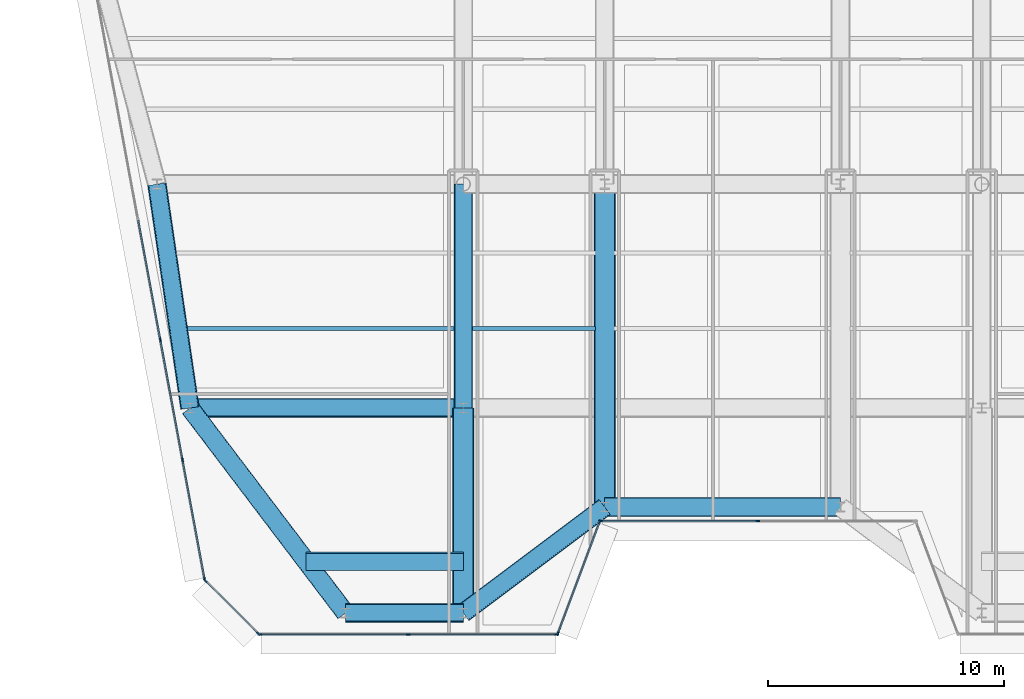
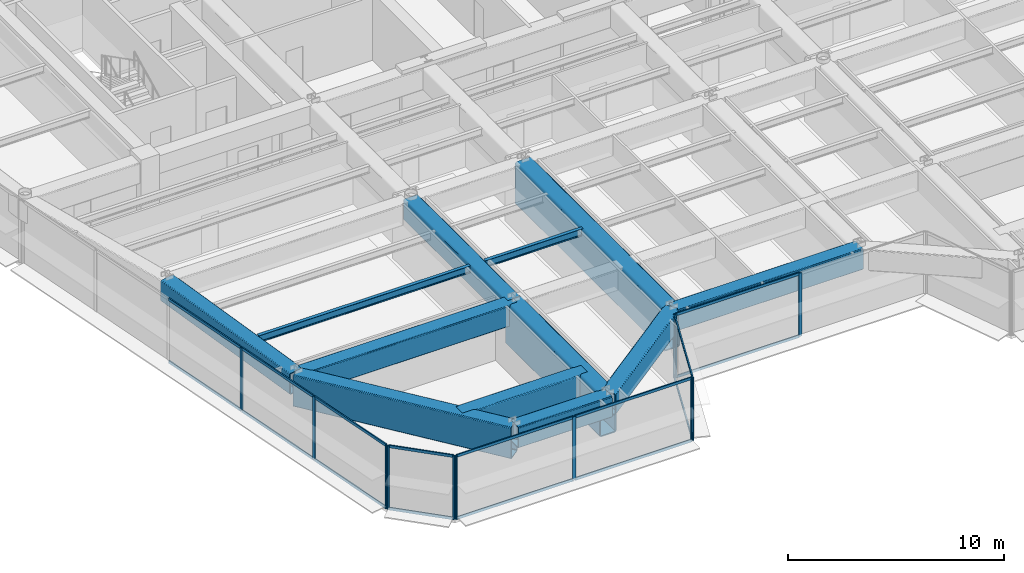
# One storey, part 2 of 17: 28 members, 12 beams, 5 elements without a shape of their own.
"""IFC4 building model written with IfcOpenShell, lengths in metres."""

from ifc_helpers import new_model, si_unit, direction, frame, origin, origin_2d, place, context, subcontext, project, spatial, rectangle, hollow_rectangle, i_section, extrude, source, transform, mapped, material, layer, layer_set, material_profile, profile_set, type_object, element, aggregate, save


model = new_model("IFC4")

# Units and contexts
model_context = context("Model", 3, precision=1e-05, world=origin(), true_north=direction((0.0, 1.0)))
body_context = subcontext(model_context, "Body", "Model", "MODEL_VIEW")
ifc_project = project(units=[si_unit("LENGTHUNIT", "METRE"), si_unit("AREAUNIT", "SQUARE_METRE"), si_unit("VOLUMEUNIT", "CUBIC_METRE"), si_unit("PLANEANGLEUNIT", "RADIAN"), si_unit("MASSUNIT", "GRAM", prefix="KILO")], contexts=[model_context])

# Site, building, storey
site_placement = place(None, origin())
site = spatial("IfcSite", under=ifc_project, at=site_placement, CompositionType="ELEMENT")
building_placement = place(site_placement, origin())
building = spatial("IfcBuilding", under=site, at=building_placement, Name="Vaeldorn Concourse Tower", CompositionType="ELEMENT")
storey_placement = place(building_placement, frame((0.0, 0.0, 234.60009765625)))
storey = spatial("IfcBuildingStorey", under=building, at=storey_placement, Name="L60", CompositionType="ELEMENT", Elevation=234.60009765625)

# Beams
ifc_material_1 = material(Name="Steel S460", Category="steel")
ifc_material_profile_1 = material_profile(ifc_material_1, hollow_rectangle(XDim=0.800048828125, YDim=1.199951171875, WallThickness=0.044921875, InnerFilletRadius=0.044921875, OuterFilletRadius=0.090087890625, at=origin_2d()), Name="RHS 1200x800x45")
ifc_profile_set_1 = profile_set([ifc_material_profile_1], Name="Steel S460")
beam_type_1 = type_object("IfcBeamType", Name="BM-TG-RHS1200", PredefinedType="BEAM", material=ifc_profile_set_1)
shared_shape_1 = source(origin(), body_context, "Body", "SweptSolid", [
    extrude(hollow_rectangle(XDim=0.800048828125, YDim=1.199951171875, WallThickness=0.044921875, InnerFilletRadius=0.044921875, OuterFilletRadius=0.090087890625, at=origin_2d()), origin(), (0.0, 0.0, 1.0), 10.0),
])
beam_1_placement = place(storey_placement, frame((29.0, 13.800048828125, 2.97998046875), z_axis=(1.0, 0.0, 0.0), x_axis=(0.0, 1.0, 0.0)))
element("IfcBeam", 1, at=beam_1_placement, inside=storey, type_object=beam_type_1, Name="Beam BM-L60-C-SF3-C-SF4", PredefinedType="BEAM", context=body_context, shape_type="MappedRepresentation", body=[
    mapped(shared_shape_1, transform((0.0, 0.0, 0.0), scale=1.0)),
])
shared_shape_2 = source(origin(), body_context, "Body", "SweptSolid", [
    extrude(hollow_rectangle(XDim=0.800048828125, YDim=1.199951171875, WallThickness=0.044921875, InnerFilletRadius=0.044921875, OuterFilletRadius=0.090087890625, at=origin_2d()), origin(), (0.0, 0.0, 1.0), 11.60009765625),
])
beam_2_placement = place(storey_placement, frame((11.39990234375, 18.0, 2.97998046875), z_axis=(1.0, 0.0, 0.0), x_axis=(0.0, 1.0, 0.0)))
element("IfcBeam", 2, at=beam_2_placement, inside=storey, type_object=beam_type_1, Name="Beam BM-L60-C-FLW2-C-TW5", PredefinedType="BEAM", context=body_context, shape_type="MappedRepresentation", body=[
    mapped(shared_shape_2, transform((0.0, 0.0, 0.0), scale=1.0)),
])
shared_shape_3 = source(origin(), body_context, "Body", "SweptSolid", [
    extrude(hollow_rectangle(XDim=0.800048828125, YDim=1.199951171875, WallThickness=0.044921875, InnerFilletRadius=0.044921875, OuterFilletRadius=0.090087890625, at=origin_2d()), origin(), (0.0, 0.0, 1.0), 5.0),
])
beam_3_placement = place(storey_placement, frame((18.0, 9.300048828125, 2.97998046875), z_axis=(1.0, 0.0, 0.0), x_axis=(0.0, 1.0, 0.0)))
element("IfcBeam", 3, at=beam_3_placement, inside=storey, type_object=beam_type_1, Name="Beam BM-L60-C-SF1-C-SF2", PredefinedType="BEAM", context=body_context, shape_type="MappedRepresentation", body=[
    mapped(shared_shape_3, transform((0.0, 0.0, 0.0), scale=1.0)),
])
shared_shape_4 = source(origin(), body_context, "Body", "SweptSolid", [
    extrude(hollow_rectangle(XDim=0.800048828125, YDim=1.199951171875, WallThickness=0.044921875, InnerFilletRadius=0.044921875, OuterFilletRadius=0.090087890625, at=origin_2d()), origin(), (0.0, 0.0, 1.0), 7.5),
])
beam_4_placement = place(storey_placement, frame((23.0, 9.300048828125, 2.97998046875), z_axis=(0.8, 0.6, 0.0), x_axis=(-0.6, 0.8, 0.0)))
element("IfcBeam", 4, at=beam_4_placement, inside=storey, type_object=beam_type_1, Name="Beam BM-L60-C-SF2-C-SF3", PredefinedType="BEAM", context=body_context, shape_type="MappedRepresentation", body=[
    mapped(shared_shape_4, transform((0.0, 0.0, 0.0), scale=1.0)),
])
shared_shape_5 = source(origin(), body_context, "Body", "SweptSolid", [
    extrude(hollow_rectangle(XDim=0.800048828125, YDim=1.199951171875, WallThickness=0.044921875, InnerFilletRadius=0.044921875, OuterFilletRadius=0.090087890625, at=origin_2d()), origin(), (0.0, 0.0, 1.0), 9.6025390625),
])
beam_5_placement = place(storey_placement, frame((10.0, 27.5, 2.97998046875), z_axis=(0.145783835977, -0.989316467652, 0.0), x_axis=(0.989316467652, 0.145783835977, 0.0)))
element("IfcBeam", 5, at=beam_5_placement, inside=storey, type_object=beam_type_1, Name="Beam BM-L60-C-FLW1-C-FLW2", PredefinedType="BEAM", context=body_context, shape_type="MappedRepresentation", body=[
    mapped(shared_shape_5, transform((0.0, 0.0, 0.0), scale=1.0)),
])
shared_shape_6 = source(origin(), body_context, "Body", "SweptSolid", [
    extrude(hollow_rectangle(XDim=0.800048828125, YDim=1.199951171875, WallThickness=0.044921875, InnerFilletRadius=0.044921875, OuterFilletRadius=0.090087890625, at=origin_2d()), origin(), (0.0, 0.0, 1.0), 9.5),
])
beam_6_placement = place(storey_placement, frame((23.0, 18.0, 2.97998046875), z_axis=(0.0, 1.0, 0.0), x_axis=(-1.0, 0.0, 0.0)))
element("IfcBeam", 6, at=beam_6_placement, inside=storey, type_object=beam_type_1, Name="Beam BM-L60-C-TW5-C-TW1", PredefinedType="BEAM", context=body_context, shape_type="MappedRepresentation", body=[
    mapped(shared_shape_6, transform((0.0, 0.0, 0.0), scale=1.0)),
])
ifc_material_2 = material(Name="Steel S355", Category="steel")
ifc_material_profile_2 = material_profile(ifc_material_2, i_section(OverallWidth=0.179931640625, OverallDepth=0.39990234375, WebThickness=0.008544921875, FlangeThickness=0.013427734375, FilletRadius=0.02099609375, at=origin_2d()), Name="IPE 400")
ifc_profile_set_2 = profile_set([ifc_material_profile_2], Name="Steel S355")
beam_type_2 = type_object("IfcBeamType", Name="BM-JS-IPE400", PredefinedType="JOIST", material=ifc_profile_set_2)
shared_shape_7 = source(origin(), body_context, "Body", "SweptSolid", [
    extrude(i_section(OverallWidth=0.179931640625, OverallDepth=0.39990234375, WebThickness=0.008544921875, FlangeThickness=0.013427734375, FilletRadius=0.02099609375, at=origin_2d()), origin(), (0.0, 0.0, 1.0), 5.2001953125),
])
beam_7_placement = place(storey_placement, frame((23.39990234375, 21.3798828125, 3.3798828125), z_axis=(1.0, 0.0, 0.0), x_axis=(0.0, 1.0, 0.0)))
element("IfcBeam", 7, at=beam_7_placement, inside=storey, type_object=beam_type_2, Name="Beam JS-L60-W2-213", PredefinedType="JOIST", context=body_context, shape_type="MappedRepresentation", body=[
    mapped(shared_shape_7, transform((0.0, 0.0, 0.0), scale=1.0)),
])
ifc_material_profile_3 = material_profile(ifc_material_1, hollow_rectangle(XDim=0.89990234375, YDim=2.39990234375, WallThickness=0.06005859375, InnerFilletRadius=0.06005859375, OuterFilletRadius=0.1201171875, at=origin_2d()), Name="RHS 2400x900x60")
ifc_profile_set_3 = profile_set([ifc_material_profile_3], Name="Steel S460")
beam_type_3 = type_object("IfcBeamType", Name="BM-TG-BOX2400", PredefinedType="BEAM", material=ifc_profile_set_3)
shared_shape_8 = source(origin(), body_context, "Body", "SweptSolid", [
    extrude(hollow_rectangle(XDim=0.89990234375, YDim=2.39990234375, WallThickness=0.06005859375, InnerFilletRadius=0.06005859375, OuterFilletRadius=0.1201171875, at=origin_2d()), origin(), (0.0, 0.0, 1.0), 8.699951171875),
])
beam_8_placement = place(storey_placement, frame((23.0, 9.300048828125, 2.3798828125), z_axis=(0.0, 1.0, 0.0), x_axis=(-1.0, 0.0, 0.0)))
element("IfcBeam", 8, at=beam_8_placement, inside=storey, type_object=beam_type_3, Name="Beam BM-SETBACK-L60-C-SF2", PredefinedType="BEAM", context=body_context, shape_type="MappedRepresentation", body=[
    mapped(shared_shape_8, transform((0.0, 0.0, 0.0), scale=1.0)),
])
shared_shape_9 = source(origin(), body_context, "Body", "SweptSolid", [
    extrude(hollow_rectangle(XDim=0.89990234375, YDim=2.39990234375, WallThickness=0.06005859375, InnerFilletRadius=0.06005859375, OuterFilletRadius=0.1201171875, at=origin_2d()), origin(), (0.0, 0.0, 1.0), 13.699951171875),
])
beam_9_placement = place(storey_placement, frame((29.0, 13.800048828125, 2.3798828125), z_axis=(0.0, 1.0, 0.0), x_axis=(-1.0, 0.0, 0.0)))
element("IfcBeam", 9, at=beam_9_placement, inside=storey, type_object=beam_type_3, Name="Beam BM-SETBACK-L60-C-SF3", PredefinedType="BEAM", context=body_context, shape_type="MappedRepresentation", body=[
    mapped(shared_shape_9, transform((0.0, 0.0, 0.0), scale=1.0)),
])
ifc_material_profile_4 = material_profile(ifc_material_1, hollow_rectangle(XDim=0.800048828125, YDim=1.800048828125, WallThickness=0.050048828125, InnerFilletRadius=0.050048828125, OuterFilletRadius=0.10009765625, at=origin_2d()), Name="RHS 1800x800x50")
ifc_profile_set_4 = profile_set([ifc_material_profile_4], Name="Steel S460")
beam_type_4 = type_object("IfcBeamType", Name="BM-TG-BOX1800", PredefinedType="BEAM", material=ifc_profile_set_4)
shared_shape_10 = source(origin(), body_context, "Body", "SweptSolid", [
    extrude(hollow_rectangle(XDim=0.800048828125, YDim=1.800048828125, WallThickness=0.050048828125, InnerFilletRadius=0.050048828125, OuterFilletRadius=0.10009765625, at=origin_2d()), origin(), (0.0, 0.0, 1.0), 10.920166015625),
])
beam_10_placement = place(storey_placement, frame((18.0, 9.300048828125, 2.679931640625), z_axis=(-0.604394310451, 0.796685331542, 0.0), x_axis=(-0.796685331542, -0.604394310451, 0.0)))
element("IfcBeam", 10, at=beam_10_placement, inside=storey, type_object=beam_type_4, Name="Beam BM-SETBACK-FL-L60-C-SF1", PredefinedType="BEAM", context=body_context, shape_type="MappedRepresentation", body=[
    mapped(shared_shape_10, transform((0.0, 0.0, 0.0), scale=1.0)),
])
shared_shape_11 = source(origin(), body_context, "Body", "SweptSolid", [
    extrude(hollow_rectangle(XDim=0.800048828125, YDim=1.800048828125, WallThickness=0.050048828125, InnerFilletRadius=0.050048828125, OuterFilletRadius=0.10009765625, at=origin_2d()), origin(), (0.0, 0.0, 1.0), 6.6689453125),
])
beam_11_placement = place(storey_placement, frame((16.3310546875, 11.5, 2.679931640625), z_axis=(1.0, 0.0, 0.0), x_axis=(0.0, 1.0, 0.0)))
element("IfcBeam", 11, at=beam_11_placement, inside=storey, type_object=beam_type_4, Name="Beam BM-SETBACK-EW-L60-C-SF1", PredefinedType="BEAM", context=body_context, shape_type="MappedRepresentation", body=[
    mapped(shared_shape_11, transform((0.0, 0.0, 0.0), scale=1.0)),
])
shared_shape_12 = source(origin(), body_context, "Body", "SweptSolid", [
    extrude(i_section(OverallWidth=0.179931640625, OverallDepth=0.39990234375, WebThickness=0.008544921875, FlangeThickness=0.013427734375, FilletRadius=0.02099609375, at=origin_2d()), origin(), (0.0, 0.0, 1.0), 11.298095703125),
])
beam_12_placement = place(storey_placement, frame((11.302001953125, 21.3798828125, 3.3798828125), z_axis=(1.0, 0.0, 0.0), x_axis=(0.0, 1.0, 0.0)))
element("IfcBeam", 12, at=beam_12_placement, inside=storey, type_object=beam_type_2, Name="Beam JS-L60-W1-213", PredefinedType="JOIST", context=body_context, shape_type="MappedRepresentation", body=[
    mapped(shared_shape_12, transform((0.0, 0.0, 0.0), scale=1.0)),
])

# Curtain wall, members
ifc_material_3 = material(Name="Anodised Bronze Aluminium", Category="aluminium")
ifc_layer = layer(ifc_material_3, 0.179931640625)
ifc_layer_set = layer_set([ifc_layer], Name="Anodised Bronze Aluminium")
curtain_wall_type = type_object("IfcCurtainWallType", Name="CW-SYS-05", PredefinedType="NOTDEFINED", material=ifc_layer_set)
curtain_wall_1_placement = place(storey_placement, origin())
curtain_wall_1 = element("IfcCurtainWall", 13, at=curtain_wall_1_placement, inside=storey, type_object=curtain_wall_type, Name="Unitised Curtain Wall CW-L60-E01-1", PredefinedType="NOTDEFINED")
ifc_material_profile_5 = material_profile(ifc_material_3, rectangle(XDim=0.06494140625, YDim=0.169921875, at=origin_2d()), Name="CWM 65x170")
ifc_profile_set_5 = profile_set([ifc_material_profile_5], Name="Anodised Bronze Aluminium")
member_type_1 = type_object("IfcMemberType", Name="CWM-BRONZE-170", PredefinedType="MULLION", material=ifc_profile_set_5)
shared_shape_13 = source(origin(), body_context, "Body", "SweptSolid", [
    extrude(rectangle(XDim=0.06494140625, YDim=0.169921875, at=origin_2d()), origin(), (0.0, 0.0, 1.0), 3.579833984375),
])
member_1_placement = place(storey_placement, frame((14.361572265625, 8.39990234375, 0.0), z_axis=(0.0, 0.0, 1.0), x_axis=(0.0, 1.0, 0.0)))
member_1 = element("IfcMember", 14, at=member_1_placement, type_object=member_type_1, Name="CW-05 mullion 1", PredefinedType="MULLION", context=body_context, shape_type="MappedRepresentation", body=[
    mapped(shared_shape_13, transform((0.0, 0.0, 0.0), scale=1.0)),
])
member_2_placement = place(storey_placement, frame((20.66455078125, 8.39990234375, 0.0), z_axis=(0.0, 0.0, 1.0), x_axis=(0.0, 1.0, 0.0)))
member_2 = element("IfcMember", 15, at=member_2_placement, type_object=member_type_1, Name="CW-05 mullion 2", PredefinedType="MULLION", context=body_context, shape_type="MappedRepresentation", body=[
    mapped(shared_shape_13, transform((0.0, 0.0, 0.0), scale=1.0)),
])
member_3_placement = place(storey_placement, frame((26.967529296875, 8.39990234375, 0.0), z_axis=(0.0, 0.0, 1.0), x_axis=(0.0, 1.0, 0.0)))
member_3 = element("IfcMember", 16, at=member_3_placement, type_object=member_type_1, Name="CW-05 mullion 3", PredefinedType="MULLION", context=body_context, shape_type="MappedRepresentation", body=[
    mapped(shared_shape_13, transform((0.0, 0.0, 0.0), scale=1.0)),
])

curtain_wall_2_placement = place(storey_placement, origin())
curtain_wall_2 = element("IfcCurtainWall", 17, at=curtain_wall_2_placement, inside=storey, type_object=curtain_wall_type, Name="Unitised Curtain Wall CW-L60-E02-1", PredefinedType="NOTDEFINED")
member_4_placement = place(storey_placement, frame((27.011474609375, 8.430419921875, 0.0), z_axis=(0.0, 0.0, 1.0), x_axis=(-0.936329177566, 0.351123441595, 0.0)))
member_4 = element("IfcMember", 18, at=member_4_placement, type_object=member_type_1, Name="CW-05 mullion 1", PredefinedType="MULLION", context=body_context, shape_type="MappedRepresentation", body=[
    mapped(shared_shape_13, transform((0.0, 0.0, 0.0), scale=1.0)),
])
member_5_placement = place(storey_placement, frame((28.78857421875, 13.169677734375, 0.0), z_axis=(0.0, 0.0, 1.0), x_axis=(-0.936329177566, 0.351123441595, 0.0)))
member_5 = element("IfcMember", 19, at=member_5_placement, type_object=member_type_1, Name="CW-05 mullion 2", PredefinedType="MULLION", context=body_context, shape_type="MappedRepresentation", body=[
    mapped(shared_shape_13, transform((0.0, 0.0, 0.0), scale=1.0)),
])

curtain_wall_3_placement = place(storey_placement, origin())
curtain_wall_3 = element("IfcCurtainWall", 20, at=curtain_wall_3_placement, inside=storey, type_object=curtain_wall_type, Name="Unitised Curtain Wall CW-L60-E03-1", PredefinedType="NOTDEFINED")
member_6_placement = place(storey_placement, frame((28.83251953125, 13.199951171875, 0.0), z_axis=(0.0, 0.0, 1.0), x_axis=(0.0, 1.0, 0.0)))
member_6 = element("IfcMember", 21, at=member_6_placement, type_object=member_type_1, Name="CW-05 mullion 1", PredefinedType="MULLION", context=body_context, shape_type="MappedRepresentation", body=[
    mapped(shared_shape_13, transform((0.0, 0.0, 0.0), scale=1.0)),
])
member_7_placement = place(storey_placement, frame((35.5, 13.199951171875, 0.0), z_axis=(0.0, 0.0, 1.0), x_axis=(0.0, 1.0, 0.0)))
member_7 = element("IfcMember", 22, at=member_7_placement, type_object=member_type_1, Name="CW-05 mullion 2", PredefinedType="MULLION", context=body_context, shape_type="MappedRepresentation", body=[
    mapped(shared_shape_13, transform((0.0, 0.0, 0.0), scale=1.0)),
])

curtain_wall_4_placement = place(storey_placement, origin())
curtain_wall_4 = element("IfcCurtainWall", 23, at=curtain_wall_4_placement, inside=storey, type_object=curtain_wall_type, Name="Unitised Curtain Wall CW-L60-E11-2", PredefinedType="NOTDEFINED")
member_8_placement = place(storey_placement, frame((10.143310546875, 20.89404296875, 0.0), z_axis=(0.0, 0.0, 1.0), x_axis=(0.98331890588, 0.181889882456, 0.0)))
member_8 = element("IfcMember", 24, at=member_8_placement, type_object=member_type_1, Name="CW-05 mullion 4", PredefinedType="MULLION", context=body_context, shape_type="MappedRepresentation", body=[
    mapped(shared_shape_13, transform((0.0, 0.0, 0.0), scale=1.0)),
])
member_9_placement = place(storey_placement, frame((11.086181640625, 15.797119140625, 0.0), z_axis=(0.0, 0.0, 1.0), x_axis=(0.98331890588, 0.181889882456, 0.0)))
member_9 = element("IfcMember", 25, at=member_9_placement, type_object=member_type_1, Name="CW-05 mullion 5", PredefinedType="MULLION", context=body_context, shape_type="MappedRepresentation", body=[
    mapped(shared_shape_13, transform((0.0, 0.0, 0.0), scale=1.0)),
])
member_10_placement = place(storey_placement, frame((12.023193359375, 10.73193359375, 0.0), z_axis=(0.0, 0.0, 1.0), x_axis=(0.98331890588, 0.181889882456, 0.0)))
member_10 = element("IfcMember", 26, at=member_10_placement, type_object=member_type_1, Name="CW-05 mullion 6", PredefinedType="MULLION", context=body_context, shape_type="MappedRepresentation", body=[
    mapped(shared_shape_13, transform((0.0, 0.0, 0.0), scale=1.0)),
])

curtain_wall_5_placement = place(storey_placement, origin())
curtain_wall_5 = element("IfcCurtainWall", 27, at=curtain_wall_5_placement, inside=storey, type_object=curtain_wall_type, Name="Unitised Curtain Wall CW-L60-E12-1", PredefinedType="NOTDEFINED")
member_11_placement = place(storey_placement, frame((12.052001953125, 10.677001953125, 0.0), z_axis=(0.0, 0.0, 1.0), x_axis=(0.707106781187, 0.707106781187, 0.0)))
member_11 = element("IfcMember", 28, at=member_11_placement, type_object=member_type_1, Name="CW-05 mullion 1", PredefinedType="MULLION", context=body_context, shape_type="MappedRepresentation", body=[
    mapped(shared_shape_13, transform((0.0, 0.0, 0.0), scale=1.0)),
])
member_12_placement = place(storey_placement, frame((14.305908203125, 8.423095703125, 0.0), z_axis=(0.0, 0.0, 1.0), x_axis=(0.707106781187, 0.707106781187, 0.0)))
member_12 = element("IfcMember", 29, at=member_12_placement, type_object=member_type_1, Name="CW-05 mullion 2", PredefinedType="MULLION", context=body_context, shape_type="MappedRepresentation", body=[
    mapped(shared_shape_13, transform((0.0, 0.0, 0.0), scale=1.0)),
])

# Member
ifc_material_profile_6 = material_profile(ifc_material_3, rectangle(XDim=0.06494140625, YDim=0.14990234375, at=origin_2d()), Name="CWT 65x150")
ifc_profile_set_6 = profile_set([ifc_material_profile_6], Name="Anodised Bronze Aluminium")
member_type_2 = type_object("IfcMemberType", Name="CWT-BRONZE-150", PredefinedType="USERDEFINED", material=ifc_profile_set_6)
shared_shape_14 = source(origin(), body_context, "Body", "SweptSolid", [
    extrude(rectangle(XDim=0.06494140625, YDim=0.14990234375, at=origin_2d()), origin(), (0.0, 0.0, 1.0), 4.996337890625),
])
member_13_placement = place(storey_placement, frame((27.022705078125, 8.4609375, 0.032470703125), z_axis=(0.351134151405, 0.936325161318, 0.0), x_axis=(-0.936325161318, 0.351134151405, 0.0)))
member_13 = element("IfcMember", 30, at=member_13_placement, type_object=member_type_2, Name="CW-05 transom 1.1", ObjectType="TRANSOM", PredefinedType="USERDEFINED", context=body_context, shape_type="MappedRepresentation", body=[
    mapped(shared_shape_14, transform((0.0, 0.0, 0.0), scale=1.0)),
])

member_14_placement = place(storey_placement, frame((27.022705078125, 8.4609375, 3.54736328125), z_axis=(0.351134151405, 0.936325161318, 0.0), x_axis=(-0.936325161318, 0.351134151405, 0.0)))
member_14 = element("IfcMember", 31, at=member_14_placement, type_object=member_type_2, Name="CW-05 transom 1.2", ObjectType="TRANSOM", PredefinedType="USERDEFINED", context=body_context, shape_type="MappedRepresentation", body=[
    mapped(shared_shape_14, transform((0.0, 0.0, 0.0), scale=1.0)),
])

aggregate(curtain_wall_2, [member_4, member_5, member_13, member_14])

shared_shape_15 = source(origin(), body_context, "Body", "SweptSolid", [
    extrude(rectangle(XDim=0.06494140625, YDim=0.14990234375, at=origin_2d()), origin(), (0.0, 0.0, 1.0), 6.6025390625),
])
member_15_placement = place(storey_placement, frame((28.864990234375, 13.199951171875, 0.032470703125), z_axis=(1.0, 0.0, 0.0), x_axis=(0.0, 1.0, 0.0)))
member_15 = element("IfcMember", 32, at=member_15_placement, type_object=member_type_2, Name="CW-05 transom 1.1", ObjectType="TRANSOM", PredefinedType="USERDEFINED", context=body_context, shape_type="MappedRepresentation", body=[
    mapped(shared_shape_15, transform((0.0, 0.0, 0.0), scale=1.0)),
])

member_16_placement = place(storey_placement, frame((28.864990234375, 13.199951171875, 3.54736328125), z_axis=(1.0, 0.0, 0.0), x_axis=(0.0, 1.0, 0.0)))
member_16 = element("IfcMember", 33, at=member_16_placement, type_object=member_type_2, Name="CW-05 transom 1.2", ObjectType="TRANSOM", PredefinedType="USERDEFINED", context=body_context, shape_type="MappedRepresentation", body=[
    mapped(shared_shape_15, transform((0.0, 0.0, 0.0), scale=1.0)),
])

aggregate(curtain_wall_3, [member_6, member_7, member_15, member_16])

shared_shape_16 = source(origin(), body_context, "Body", "SweptSolid", [
    extrude(rectangle(XDim=0.06494140625, YDim=0.14990234375, at=origin_2d()), origin(), (0.0, 0.0, 1.0), 3.12255859375),
])
member_17_placement = place(storey_placement, frame((12.074951171875, 10.654052734375, 0.032470703125), z_axis=(0.707106781187, -0.707106781187, 0.0), x_axis=(0.707106781187, 0.707106781187, 0.0)))
member_17 = element("IfcMember", 34, at=member_17_placement, type_object=member_type_2, Name="CW-05 transom 1.1", ObjectType="TRANSOM", PredefinedType="USERDEFINED", context=body_context, shape_type="MappedRepresentation", body=[
    mapped(shared_shape_16, transform((0.0, 0.0, 0.0), scale=1.0)),
])

member_18_placement = place(storey_placement, frame((12.074951171875, 10.654052734375, 3.54736328125), z_axis=(0.707106781187, -0.707106781187, 0.0), x_axis=(0.707106781187, 0.707106781187, 0.0)))
member_18 = element("IfcMember", 35, at=member_18_placement, type_object=member_type_2, Name="CW-05 transom 1.2", ObjectType="TRANSOM", PredefinedType="USERDEFINED", context=body_context, shape_type="MappedRepresentation", body=[
    mapped(shared_shape_16, transform((0.0, 0.0, 0.0), scale=1.0)),
])

aggregate(curtain_wall_5, [member_11, member_12, member_17, member_18])

shared_shape_17 = source(origin(), body_context, "Body", "SweptSolid", [
    extrude(rectangle(XDim=0.06494140625, YDim=0.14990234375, at=origin_2d()), origin(), (0.0, 0.0, 1.0), 6.238037109375),
])
member_19_placement = place(storey_placement, frame((14.39404296875, 8.39990234375, 0.032470703125), z_axis=(1.0, 0.0, 0.0), x_axis=(0.0, 1.0, 0.0)))
member_19 = element("IfcMember", 36, at=member_19_placement, type_object=member_type_2, Name="CW-05 transom 1.1", ObjectType="TRANSOM", PredefinedType="USERDEFINED", context=body_context, shape_type="MappedRepresentation", body=[
    mapped(shared_shape_17, transform((0.0, 0.0, 0.0), scale=1.0)),
])

member_20_placement = place(storey_placement, frame((14.39404296875, 8.39990234375, 3.54736328125), z_axis=(1.0, 0.0, 0.0), x_axis=(0.0, 1.0, 0.0)))
member_20 = element("IfcMember", 37, at=member_20_placement, type_object=member_type_2, Name="CW-05 transom 1.2", ObjectType="TRANSOM", PredefinedType="USERDEFINED", context=body_context, shape_type="MappedRepresentation", body=[
    mapped(shared_shape_17, transform((0.0, 0.0, 0.0), scale=1.0)),
])

member_21_placement = place(storey_placement, frame((20.697021484375, 8.39990234375, 0.032470703125), z_axis=(1.0, 0.0, 0.0), x_axis=(0.0, 1.0, 0.0)))
member_21 = element("IfcMember", 38, at=member_21_placement, type_object=member_type_2, Name="CW-05 transom 2.1", ObjectType="TRANSOM", PredefinedType="USERDEFINED", context=body_context, shape_type="MappedRepresentation", body=[
    mapped(shared_shape_17, transform((0.0, 0.0, 0.0), scale=1.0)),
])

member_22_placement = place(storey_placement, frame((20.697021484375, 8.39990234375, 3.54736328125), z_axis=(1.0, 0.0, 0.0), x_axis=(0.0, 1.0, 0.0)))
member_22 = element("IfcMember", 39, at=member_22_placement, type_object=member_type_2, Name="CW-05 transom 2.2", ObjectType="TRANSOM", PredefinedType="USERDEFINED", context=body_context, shape_type="MappedRepresentation", body=[
    mapped(shared_shape_17, transform((0.0, 0.0, 0.0), scale=1.0)),
])

aggregate(curtain_wall_1, [member_1, member_2, member_3, member_19, member_20, member_21, member_22])

shared_shape_18 = source(origin(), body_context, "Body", "SweptSolid", [
    extrude(rectangle(XDim=0.06494140625, YDim=0.14990234375, at=origin_2d()), origin(), (0.0, 0.0, 1.0), 5.0859375),
])
member_23_placement = place(storey_placement, frame((11.092041015625, 15.76513671875, 0.032470703125), z_axis=(0.181879549724, -0.983320817125, 0.0), x_axis=(0.983320817125, 0.181879549724, 0.0)))
member_23 = element("IfcMember", 40, at=member_23_placement, type_object=member_type_2, Name="CW-05 transom 5.1", ObjectType="TRANSOM", PredefinedType="USERDEFINED", context=body_context, shape_type="MappedRepresentation", body=[
    mapped(shared_shape_18, transform((0.0, 0.0, 0.0), scale=1.0)),
])

member_24_placement = place(storey_placement, frame((11.092041015625, 15.76513671875, 3.54736328125), z_axis=(0.181879549724, -0.983320817125, 0.0), x_axis=(0.983320817125, 0.181879549724, 0.0)))
member_24 = element("IfcMember", 41, at=member_24_placement, type_object=member_type_2, Name="CW-05 transom 5.2", ObjectType="TRANSOM", PredefinedType="USERDEFINED", context=body_context, shape_type="MappedRepresentation", body=[
    mapped(shared_shape_18, transform((0.0, 0.0, 0.0), scale=1.0)),
])

shared_shape_19 = source(origin(), body_context, "Body", "SweptSolid", [
    extrude(rectangle(XDim=0.06494140625, YDim=0.14990234375, at=origin_2d()), origin(), (0.0, 0.0, 1.0), 5.11865234375),
])
member_25_placement = place(storey_placement, frame((10.149169921875, 20.862060546875, 0.032470703125), z_axis=(0.181915044341, -0.983314251215, 0.0), x_axis=(0.983314251215, 0.181915044341, 0.0)))
member_25 = element("IfcMember", 42, at=member_25_placement, type_object=member_type_2, Name="CW-05 transom 4.1", ObjectType="TRANSOM", PredefinedType="USERDEFINED", context=body_context, shape_type="MappedRepresentation", body=[
    mapped(shared_shape_19, transform((0.0, 0.0, 0.0), scale=1.0)),
])

member_26_placement = place(storey_placement, frame((10.149169921875, 20.862060546875, 3.54736328125), z_axis=(0.181915044341, -0.983314251215, 0.0), x_axis=(0.983314251215, 0.181915044341, 0.0)))
member_26 = element("IfcMember", 43, at=member_26_placement, type_object=member_type_2, Name="CW-05 transom 4.2", ObjectType="TRANSOM", PredefinedType="USERDEFINED", context=body_context, shape_type="MappedRepresentation", body=[
    mapped(shared_shape_19, transform((0.0, 0.0, 0.0), scale=1.0)),
])

shared_shape_20 = source(origin(), body_context, "Body", "SweptSolid", [
    extrude(rectangle(XDim=0.06494140625, YDim=0.14990234375, at=origin_2d()), origin(), (0.0, 0.0, 1.0), 5.118408203125),
])
member_27_placement = place(storey_placement, frame((9.20654296875, 25.958984375, 0.032470703125), z_axis=(0.181877455854, -0.983321204415, 0.0), x_axis=(0.983321204415, 0.181877455854, 0.0)))
member_27 = element("IfcMember", 44, at=member_27_placement, type_object=member_type_2, Name="CW-05 transom 3.1", ObjectType="TRANSOM", PredefinedType="USERDEFINED", context=body_context, shape_type="MappedRepresentation", body=[
    mapped(shared_shape_20, transform((0.0, 0.0, 0.0), scale=1.0)),
])

member_28_placement = place(storey_placement, frame((9.20654296875, 25.958984375, 3.54736328125), z_axis=(0.181877455854, -0.983321204415, 0.0), x_axis=(0.983321204415, 0.181877455854, 0.0)))
member_28 = element("IfcMember", 45, at=member_28_placement, type_object=member_type_2, Name="CW-05 transom 3.2", ObjectType="TRANSOM", PredefinedType="USERDEFINED", context=body_context, shape_type="MappedRepresentation", body=[
    mapped(shared_shape_20, transform((0.0, 0.0, 0.0), scale=1.0)),
])

aggregate(curtain_wall_4, [member_8, member_9, member_10, member_27, member_28, member_25, member_26, member_23, member_24])

save(model, "model.ifc")
